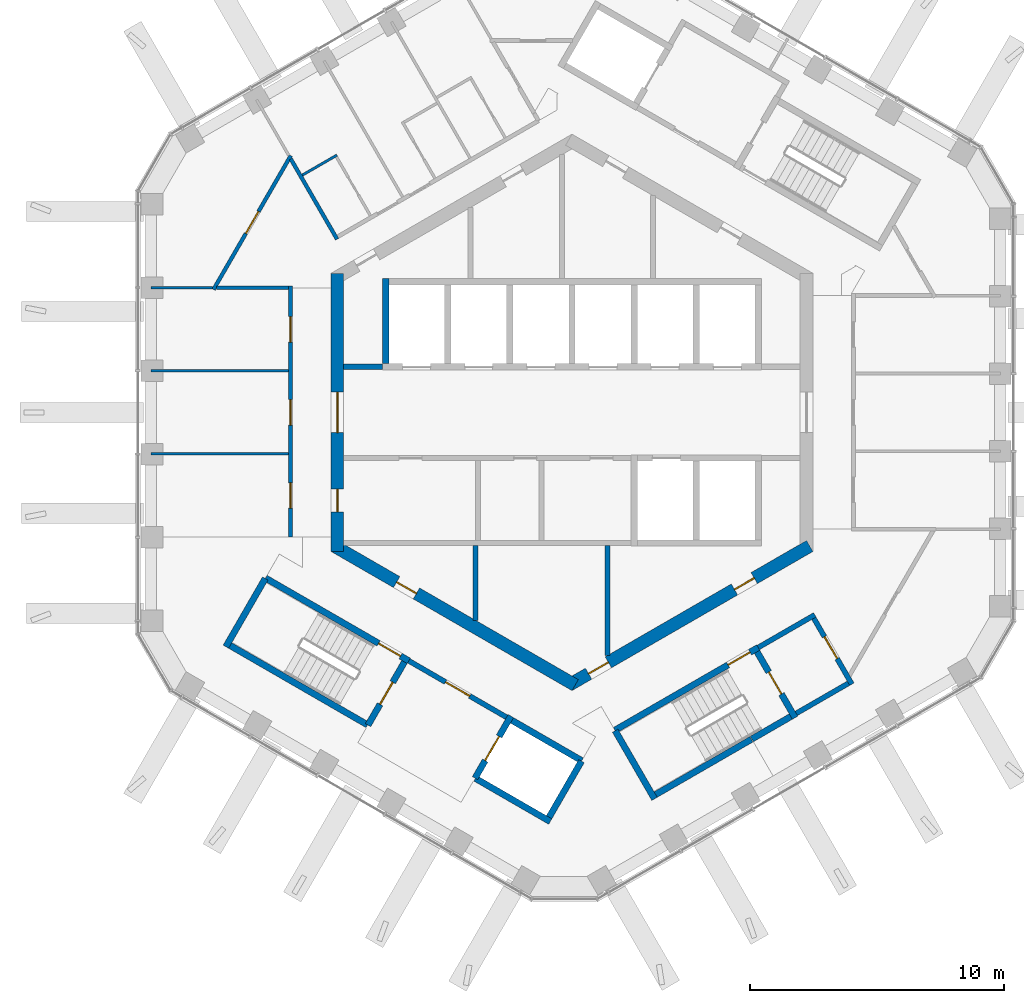
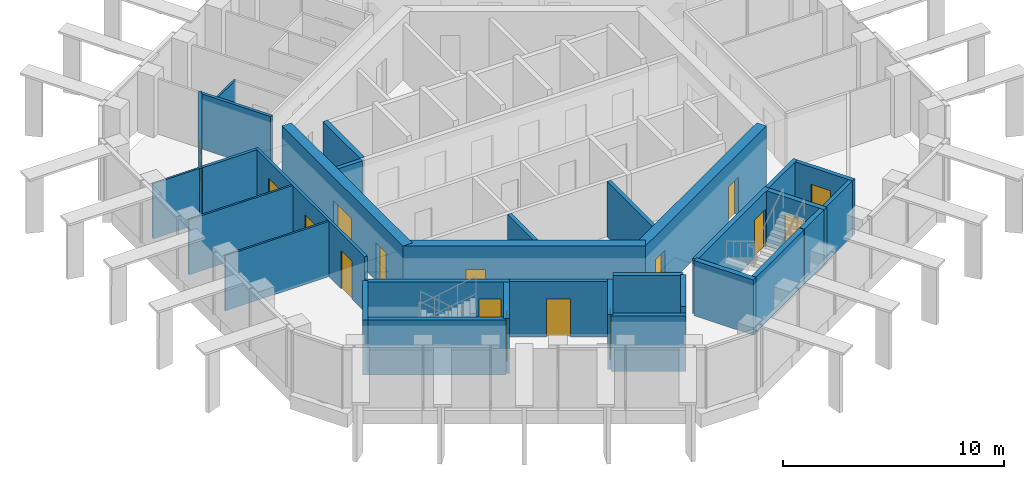
# One storey, part 11 of 19: 32 walls, 16 doors, 16 openings.
"""IFC4 building model written with IfcOpenShell, lengths in metres."""

from ifc_helpers import new_model, si_unit, direction, frame, frame_2d, origin, place, context, subcontext, project, spatial, rectangle, extrude, material, layer, layer_set, type_object, element, fill, save


model = new_model("IFC4")

# Units and contexts
model_context = context("Model", 3, precision=1e-05, world=origin(), true_north=direction((0.0, 1.0)))
body_context = subcontext(model_context, "Body", "Model", "MODEL_VIEW")
ifc_project = project(units=[si_unit("LENGTHUNIT", "METRE"), si_unit("AREAUNIT", "SQUARE_METRE"), si_unit("VOLUMEUNIT", "CUBIC_METRE"), si_unit("PLANEANGLEUNIT", "RADIAN"), si_unit("MASSUNIT", "GRAM", prefix="KILO")], contexts=[model_context])

# Site, building, storey
site_placement = place(None, origin())
site = spatial("IfcSite", under=ifc_project, at=site_placement, CompositionType="ELEMENT")
building_placement = place(site_placement, origin())
building = spatial("IfcBuilding", under=site, at=building_placement, Name="Ayvan Gate Tower", CompositionType="ELEMENT")
storey_placement = place(building_placement, frame((0.0, 0.0, 235.89990234375)))
storey = spatial("IfcBuildingStorey", under=building, at=storey_placement, Name="L63", CompositionType="ELEMENT", Elevation=235.89990234375)

# Wall, openings, doors
ifc_material_1 = material(Name="Concrete C60/75", Category="concrete")
ifc_layer_1 = layer(ifc_material_1, 0.5)
ifc_layer_set_1 = layer_set([ifc_layer_1], Name="Concrete C60/75")
wall_type_1 = type_object("IfcWallType", Name="Core wall 500 C60/75", PredefinedType="SHEAR", material=ifc_layer_set_1)
wall_1_placement = place(storey_placement, frame((-9.25, 5.48486328125, 0.0), z_axis=(0.0, 0.0, 1.0), x_axis=(0.0, -1.0, 0.0)))
wall_1 = element("IfcWall", 1, at=wall_1_placement, inside=storey, type_object=wall_type_1, Name="CORE-L63-3", PredefinedType="SHEAR", context=body_context, shape_type="SweptSolid", body=[
    extrude(rectangle(XDim=10.9697265625, YDim=0.5, at=frame_2d((5.48486328125, 0.0))), origin(), (0.0, 0.0, 1.0), 3.400146484375),
])
opening_1_placement = place(wall_1_placement, frame((8.509765625, 0.0, 0.0)))
opening_1 = element("IfcOpeningElement", 2, at=opening_1_placement, cuts=wall_1, Name="Opening L63-D45", PredefinedType="OPENING", context=body_context, shape_type="SweptSolid", body=[
    extrude(rectangle(XDim=0.89990234375, YDim=2.10009765625, at=frame_2d((0.449951171875, 1.050048828125))), frame((0.0, 0.260009765625, 0.0), z_axis=(0.0, -1.0, 0.0), x_axis=(1.0, 0.0, 0.0)), (0.0, 0.0, 1.0), 0.52001953125),
])
opening_2_placement = place(wall_1_placement, frame((4.684814453125, 0.0, 0.0)))
opening_2 = element("IfcOpeningElement", 3, at=opening_2_placement, cuts=wall_1, Name="Opening L63-D47", PredefinedType="OPENING", context=body_context, shape_type="SweptSolid", body=[
    extrude(rectangle(XDim=1.60009765625, YDim=2.10009765625, at=frame_2d((0.800048828125, 1.050048828125))), frame((0.0, 0.260009765625, 0.0), z_axis=(0.0, -1.0, 0.0), x_axis=(1.0, 0.0, 0.0)), (0.0, 0.0, 1.0), 0.52001953125),
])
ifc_material_2 = material(Name="Timber door leaf", Category="wood")
door_type_1 = type_object("IfcDoorType", Name="DT-1600", OperationType="NOTDEFINED", PredefinedType="DOOR", material=ifc_material_2)
door_1_placement = place(opening_2_placement, origin())
door_1 = element("IfcDoor", 4, at=door_1_placement, inside=storey, type_object=door_type_1, Name="CD-L63-47", OperationType="SINGLE_SWING_RIGHT", OverallHeight=2.10009765625, OverallWidth=1.60009765625, PredefinedType="DOOR", context=body_context, shape_type="SweptSolid", body=[
    extrude(rectangle(XDim=1.60009765625, YDim=2.10009765625, at=frame_2d((0.800048828125, 1.050048828125))), frame((0.0, 0.02490234375, 0.0), z_axis=(0.0, -1.0, 0.0), x_axis=(1.0, 0.0, 0.0)), (0.0, 0.0, 1.0), 0.050048828125),
])
fill(opening_2, door_1)
door_type_2 = type_object("IfcDoorType", Name="DT-900", OperationType="NOTDEFINED", PredefinedType="DOOR", material=ifc_material_2)
door_2_placement = place(opening_1_placement, origin())
door_2 = element("IfcDoor", 5, at=door_2_placement, inside=storey, type_object=door_type_2, Name="CD-L63-45", OperationType="SINGLE_SWING_RIGHT", OverallHeight=2.10009765625, OverallWidth=0.89990234375, PredefinedType="DOOR", context=body_context, shape_type="SweptSolid", body=[
    extrude(rectangle(XDim=0.89990234375, YDim=2.10009765625, at=frame_2d((0.449951171875, 1.050048828125))), frame((0.0, 0.02490234375, 0.0), z_axis=(0.0, -1.0, 0.0), x_axis=(1.0, 0.0, 0.0)), (0.0, 0.0, 1.0), 0.050048828125),
])
fill(opening_1, door_2)

# Wall, opening, door
wall_2_placement = place(storey_placement, frame((-9.375, -5.268310546875, 0.0), z_axis=(0.0, 0.0, 1.0), x_axis=(0.866023993627, -0.500002442456, 0.0)))
wall_2 = element("IfcWall", 6, at=wall_2_placement, inside=storey, type_object=wall_type_1, Name="CORE-L63-4", PredefinedType="SHEAR", context=body_context, shape_type="SweptSolid", body=[
    extrude(rectangle(XDim=10.9697265625, YDim=0.5, at=frame_2d((5.48486328125, 0.0))), origin(), (0.0, 0.0, 1.0), 3.400146484375),
])
opening_3_placement = place(wall_2_placement, frame((2.841552734375, 0.0, 0.0)))
opening_3 = element("IfcOpeningElement", 7, at=opening_3_placement, cuts=wall_2, Name="Opening L63-D42", PredefinedType="OPENING", context=body_context, shape_type="SweptSolid", body=[
    extrude(rectangle(XDim=0.89990234375, YDim=2.10009765625, at=frame_2d((0.449951171875, 1.050048828125))), frame((0.0, 0.260009765625, 0.0), z_axis=(0.0, -1.0, 0.0), x_axis=(1.0, 0.0, 0.0)), (0.0, 0.0, 1.0), 0.52001953125),
])
door_3_placement = place(opening_3_placement, origin())
door_3 = element("IfcDoor", 8, at=door_3_placement, inside=storey, type_object=door_type_2, Name="CD-L63-42", OperationType="SINGLE_SWING_LEFT", OverallHeight=2.10009765625, OverallWidth=0.89990234375, PredefinedType="DOOR", context=body_context, shape_type="SweptSolid", body=[
    extrude(rectangle(XDim=0.89990234375, YDim=2.10009765625, at=frame_2d((0.449951171875, 1.050048828125))), frame((0.0, 0.02490234375, 0.0), z_axis=(0.0, -1.0, 0.0), x_axis=(1.0, 0.0, 0.0)), (0.0, 0.0, 1.0), 0.050048828125),
])
fill(opening_3, door_3)

# Wall, openings, doors
wall_3_placement = place(storey_placement, frame((-0.125, -10.753173828125, 0.0), z_axis=(0.0, 0.0, 1.0), x_axis=(0.866023993627, 0.500002442456, 0.0)))
wall_3 = element("IfcWall", 9, at=wall_3_placement, inside=storey, type_object=wall_type_1, Name="CORE-L63-5", PredefinedType="SHEAR", context=body_context, shape_type="SweptSolid", body=[
    extrude(rectangle(XDim=10.9697265625, YDim=0.5, at=frame_2d((5.48486328125, 0.0))), origin(), (0.0, 0.0, 1.0), 3.400146484375),
])
opening_4_placement = place(wall_3_placement, frame((0.89990234375, 0.0, 0.0)))
opening_4 = element("IfcOpeningElement", 10, at=opening_4_placement, cuts=wall_3, Name="Opening L63-D43", PredefinedType="OPENING", context=body_context, shape_type="SweptSolid", body=[
    extrude(rectangle(XDim=0.89990234375, YDim=2.10009765625, at=frame_2d((0.449951171875, 1.050048828125))), frame((0.0, 0.260009765625, 0.0), z_axis=(0.0, -1.0, 0.0), x_axis=(1.0, 0.0, 0.0)), (0.0, 0.0, 1.0), 0.52001953125),
])
opening_5_placement = place(wall_3_placement, frame((7.541748046875, 0.0, 0.0)))
opening_5 = element("IfcOpeningElement", 11, at=opening_5_placement, cuts=wall_3, Name="Opening L63-D44", PredefinedType="OPENING", context=body_context, shape_type="SweptSolid", body=[
    extrude(rectangle(XDim=0.89990234375, YDim=2.10009765625, at=frame_2d((0.449951171875, 1.050048828125))), frame((0.0, 0.260009765625, 0.0), z_axis=(0.0, -1.0, 0.0), x_axis=(1.0, 0.0, 0.0)), (0.0, 0.0, 1.0), 0.52001953125),
])
door_4_placement = place(opening_4_placement, origin())
door_4 = element("IfcDoor", 12, at=door_4_placement, inside=storey, type_object=door_type_2, Name="CD-L63-43", OperationType="SINGLE_SWING_RIGHT", OverallHeight=2.10009765625, OverallWidth=0.89990234375, PredefinedType="DOOR", context=body_context, shape_type="SweptSolid", body=[
    extrude(rectangle(XDim=0.89990234375, YDim=2.10009765625, at=frame_2d((0.449951171875, 1.050048828125))), frame((0.0, 0.02490234375, 0.0), z_axis=(0.0, -1.0, 0.0), x_axis=(1.0, 0.0, 0.0)), (0.0, 0.0, 1.0), 0.050048828125),
])
fill(opening_4, door_4)
door_5_placement = place(opening_5_placement, origin())
door_5 = element("IfcDoor", 13, at=door_5_placement, inside=storey, type_object=door_type_2, Name="CD-L63-44", OperationType="SINGLE_SWING_LEFT", OverallHeight=2.10009765625, OverallWidth=0.89990234375, PredefinedType="DOOR", context=body_context, shape_type="SweptSolid", body=[
    extrude(rectangle(XDim=0.89990234375, YDim=2.10009765625, at=frame_2d((0.449951171875, 1.050048828125))), frame((0.0, 0.02490234375, 0.0), z_axis=(0.0, -1.0, 0.0), x_axis=(1.0, 0.0, 0.0)), (0.0, 0.0, 1.0), 0.050048828125),
])
fill(opening_5, door_5)

# Wall, opening, door
ifc_material_3 = material(Name="Plasterboard on steel stud", Category="steel")
ifc_layer_2 = layer(ifc_material_3, 0.14990234375)
ifc_layer_set_2 = layer_set([ifc_layer_2], Name="Plasterboard on steel stud")
wall_type_2 = type_object("IfcWallType", Name="WT-CORR-150", PredefinedType="PARTITIONING", material=ifc_layer_set_2)
wall_4_placement = place(storey_placement, frame((-14.1337890625, 4.8486328125, 0.0), z_axis=(0.0, 0.0, 1.0), x_axis=(0.50000114319, 0.866024743763, 0.0)))
wall_4 = element("IfcWall", 14, at=wall_4_placement, inside=storey, type_object=wall_type_2, Name="IW-L63-001", PredefinedType="PARTITIONING", context=body_context, shape_type="SweptSolid", body=[
    extrude(rectangle(XDim=6.091796875, YDim=0.14990234375, at=frame_2d((3.0458984375, 0.0))), origin(), (0.0, 0.0, 1.0), 3.050048828125),
])
opening_6_placement = place(wall_4_placement, frame((2.5458984375, 0.0, 0.0)))
opening_6 = element("IfcOpeningElement", 15, at=opening_6_placement, cuts=wall_4, Name="Opening L63-D27", PredefinedType="OPENING", context=body_context, shape_type="SweptSolid", body=[
    extrude(rectangle(XDim=1.0, YDim=2.10009765625, at=frame_2d((0.5, 1.050048828125))), frame((0.0, 0.0849609375, 0.0), z_axis=(0.0, -1.0, 0.0), x_axis=(1.0, 0.0, 0.0)), (0.0, 0.0, 1.0), 0.169921875),
])
door_type_3 = type_object("IfcDoorType", Name="DT-1000", OperationType="NOTDEFINED", PredefinedType="DOOR", material=ifc_material_2)
door_6_placement = place(opening_6_placement, origin())
door_6 = element("IfcDoor", 16, at=door_6_placement, inside=storey, type_object=door_type_3, Name="ID-L63-027", OperationType="SINGLE_SWING_RIGHT", OverallHeight=2.10009765625, OverallWidth=1.0, PredefinedType="DOOR", context=body_context, shape_type="SweptSolid", body=[
    extrude(rectangle(XDim=1.0, YDim=2.10009765625, at=frame_2d((0.5, 1.050048828125))), frame((0.0, 0.02490234375, 0.0), z_axis=(0.0, -1.0, 0.0), x_axis=(1.0, 0.0, 0.0)), (0.0, 0.0, 1.0), 0.050048828125),
])
fill(opening_6, door_6)

# Wall
wall_5_placement = place(storey_placement, frame((-11.087890625, 9.994384765625, 0.0), z_axis=(0.0, 0.0, 1.0), x_axis=(0.499990402704, -0.866030944715, 0.0)))
element("IfcWall", 17, at=wall_5_placement, inside=storey, type_object=wall_type_2, Name="IW-L63-005", PredefinedType="PARTITIONING", context=body_context, shape_type="SweptSolid", body=[
    extrude(rectangle(XDim=3.654296875, YDim=0.14990234375, at=frame_2d((1.8271484375, 0.0))), origin(), (0.0, 0.0, 1.0), 3.050048828125),
])

# Wall, openings, doors
wall_6_placement = place(storey_placement, frame((-11.10009765625, -4.91357421875, 0.0), z_axis=(0.0, 0.0, 1.0), x_axis=(0.0, 1.0, 0.0)))
wall_6 = element("IfcWall", 18, at=wall_6_placement, inside=storey, type_object=wall_type_2, Name="IW-L63-006", PredefinedType="PARTITIONING", context=body_context, shape_type="SweptSolid", body=[
    extrude(rectangle(XDim=9.902099609375, YDim=0.14990234375, at=frame_2d((4.951171875, 0.0))), origin(), (0.0, 0.0, 1.0), 3.050048828125),
])
opening_7_placement = place(wall_6_placement, frame((7.689208984375, 0.0, 0.0)))
opening_7 = element("IfcOpeningElement", 19, at=opening_7_placement, cuts=wall_6, Name="Opening L63-D28", PredefinedType="OPENING", context=body_context, shape_type="SweptSolid", body=[
    extrude(rectangle(XDim=1.0, YDim=2.10009765625, at=frame_2d((0.5, 1.050048828125))), frame((0.0, 0.0849609375, 0.0), z_axis=(0.0, -1.0, 0.0), x_axis=(1.0, 0.0, 0.0)), (0.0, 0.0, 1.0), 0.169921875),
])
opening_8_placement = place(wall_6_placement, frame((4.41357421875, 0.0, 0.0)))
opening_8 = element("IfcOpeningElement", 20, at=opening_8_placement, cuts=wall_6, Name="Opening L63-D29", PredefinedType="OPENING", context=body_context, shape_type="SweptSolid", body=[
    extrude(rectangle(XDim=1.0, YDim=2.10009765625, at=frame_2d((0.5, 1.050048828125))), frame((0.0, 0.0849609375, 0.0), z_axis=(0.0, -1.0, 0.0), x_axis=(1.0, 0.0, 0.0)), (0.0, 0.0, 1.0), 0.169921875),
])
opening_9_placement = place(wall_6_placement, frame((1.137451171875, 0.0, 0.0)))
opening_9 = element("IfcOpeningElement", 21, at=opening_9_placement, cuts=wall_6, Name="Opening L63-D30", PredefinedType="OPENING", context=body_context, shape_type="SweptSolid", body=[
    extrude(rectangle(XDim=1.0, YDim=2.10009765625, at=frame_2d((0.5, 1.050048828125))), frame((0.0, 0.0849609375, 0.0), z_axis=(0.0, -1.0, 0.0), x_axis=(1.0, 0.0, 0.0)), (0.0, 0.0, 1.0), 0.169921875),
])
door_7_placement = place(opening_7_placement, origin())
door_7 = element("IfcDoor", 22, at=door_7_placement, inside=storey, type_object=door_type_3, Name="ID-L63-028", OperationType="SINGLE_SWING_LEFT", OverallHeight=2.10009765625, OverallWidth=1.0, PredefinedType="DOOR", context=body_context, shape_type="SweptSolid", body=[
    extrude(rectangle(XDim=1.0, YDim=2.10009765625, at=frame_2d((0.5, 1.050048828125))), frame((0.0, 0.02490234375, 0.0), z_axis=(0.0, -1.0, 0.0), x_axis=(1.0, 0.0, 0.0)), (0.0, 0.0, 1.0), 0.050048828125),
])
fill(opening_7, door_7)
door_8_placement = place(opening_8_placement, origin())
door_8 = element("IfcDoor", 23, at=door_8_placement, inside=storey, type_object=door_type_3, Name="ID-L63-029", OperationType="SINGLE_SWING_RIGHT", OverallHeight=2.10009765625, OverallWidth=1.0, PredefinedType="DOOR", context=body_context, shape_type="SweptSolid", body=[
    extrude(rectangle(XDim=1.0, YDim=2.10009765625, at=frame_2d((0.5, 1.050048828125))), frame((0.0, 0.02490234375, 0.0), z_axis=(0.0, -1.0, 0.0), x_axis=(1.0, 0.0, 0.0)), (0.0, 0.0, 1.0), 0.050048828125),
])
fill(opening_8, door_8)
door_9_placement = place(opening_9_placement, origin())
door_9 = element("IfcDoor", 24, at=door_9_placement, inside=storey, type_object=door_type_3, Name="ID-L63-030", OperationType="SINGLE_SWING_LEFT", OverallHeight=2.10009765625, OverallWidth=1.0, PredefinedType="DOOR", context=body_context, shape_type="SweptSolid", body=[
    extrude(rectangle(XDim=1.0, YDim=2.10009765625, at=frame_2d((0.5, 1.050048828125))), frame((0.0, 0.02490234375, 0.0), z_axis=(0.0, -1.0, 0.0), x_axis=(1.0, 0.0, 0.0)), (0.0, 0.0, 1.0), 0.050048828125),
])
fill(opening_9, door_9)

# Walls
wall_7_placement = place(storey_placement, frame((-11.1748046875, 4.91357421875, 0.0), z_axis=(0.0, 0.0, 1.0), x_axis=(-1.0, 0.0, 0.0)))
element("IfcWall", 25, at=wall_7_placement, inside=storey, type_object=wall_type_2, Name="IW-L63-009", PredefinedType="PARTITIONING", context=body_context, shape_type="SweptSolid", body=[
    extrude(rectangle(XDim=2.846435546875, YDim=0.14990234375, at=frame_2d((1.42333984375, 0.0))), origin(), (0.0, 0.0, 1.0), 3.050048828125),
])
ifc_layer_3 = layer(ifc_material_3, 0.10009765625)
ifc_layer_set_3 = layer_set([ifc_layer_3], Name="Plasterboard on steel stud")
wall_type_3 = type_object("IfcWallType", Name="WT-PART-100", PredefinedType="PARTITIONING", material=ifc_layer_set_3)
wall_8_placement = place(storey_placement, frame((-14.17138671875, 4.91357421875, 0.0), z_axis=(0.0, 0.0, 1.0), x_axis=(-1.0, 0.0, 0.0)))
element("IfcWall", 26, at=wall_8_placement, inside=storey, type_object=wall_type_3, Name="IW-L63-000", PredefinedType="PARTITIONING", context=body_context, shape_type="SweptSolid", body=[
    extrude(rectangle(XDim=2.41943359375, YDim=0.10009765625, at=frame_2d((1.209716796875, 0.0))), origin(), (0.0, 0.0, 1.0), 3.050048828125),
])
for number, where, z_axis, x_axis, name in (
    (27, (-11.175048828125, -1.637939453125, 0.0), (0.0, 0.0, 1.0), (-1.0, 0.0, 0.0), "IW-L63-007"),
    (28, (-11.175048828125, 1.637939453125, 0.0), (0.0, 0.0, 1.0), (-1.0, 0.0, 0.0), "IW-L63-008"),
):
    element("IfcWall", number, at=place(storey_placement, frame(where, z_axis=z_axis, x_axis=x_axis)), inside=storey, type_object=wall_type_3, Name=name, PredefinedType="PARTITIONING", context=body_context, shape_type="SweptSolid", body=[
        extrude(rectangle(XDim=5.415771484375, YDim=0.10009765625, at=frame_2d((2.7080078125, 0.0))), origin(), (0.0, 0.0, 1.0), 3.050048828125),
    ])
wall_9_placement = place(storey_placement, frame((-9.269287109375, 10.14453125, 0.0), z_axis=(0.0, 0.0, 1.0), x_axis=(-0.866002311072, -0.500039995618, 0.0)))
element("IfcWall", 29, at=wall_9_placement, inside=storey, type_object=wall_type_3, Name="IW-L63-010", PredefinedType="PARTITIONING", context=body_context, shape_type="SweptSolid", body=[
    extrude(rectangle(XDim=1.574951171875, YDim=0.10009765625, at=frame_2d((0.78759765625, 0.0))), origin(), (0.0, 0.0, 1.0), 3.050048828125),
])
ifc_layer_4 = layer(ifc_material_3, 0.199951171875)
ifc_layer_set_4 = layer_set([ifc_layer_4], Name="Plasterboard on steel stud")
wall_type_4 = type_object("IfcWallType", Name="WT-RATED-200", PredefinedType="PARTITIONING", material=ifc_layer_set_4)
wall_10_placement = place(storey_placement, frame((-9.0, 1.800048828125, 0.0), z_axis=(0.0, 0.0, 1.0), x_axis=(1.0, 0.0, 0.0)))
element("IfcWall", 30, at=wall_10_placement, inside=storey, type_object=wall_type_4, Name="IW-L63-012", PredefinedType="PARTITIONING", context=body_context, shape_type="SweptSolid", body=[
    extrude(rectangle(XDim=1.525146484375, YDim=0.199951171875, at=frame_2d((0.7626953125, 0.0))), origin(), (0.0, 0.0, 1.0), 3.050048828125),
])

# Wall, opening, door
wall_11_placement = place(storey_placement, frame((-6.4345703125, -9.794921875, 0.0), z_axis=(0.0, 0.0, 1.0), x_axis=(0.866012907634, -0.500021643343, 0.0)))
wall_11 = element("IfcWall", 31, at=wall_11_placement, inside=storey, type_object=wall_type_4, Name="IW-L63-022", PredefinedType="PARTITIONING", context=body_context, shape_type="SweptSolid", body=[
    extrude(rectangle(XDim=4.449951171875, YDim=0.199951171875, at=frame_2d((2.22509765625, 0.0))), origin(), (0.0, 0.0, 1.0), 3.050048828125),
])
opening_10_placement = place(wall_11_placement, frame((1.675048828125, 0.0, 0.0)))
opening_10 = element("IfcOpeningElement", 32, at=opening_10_placement, cuts=wall_11, Name="Opening L63-D17", PredefinedType="OPENING", context=body_context, shape_type="SweptSolid", body=[
    extrude(rectangle(XDim=1.10009765625, YDim=2.10009765625, at=frame_2d((0.550048828125, 1.050048828125))), frame((0.0, 0.10986328125, 0.0), z_axis=(0.0, -1.0, 0.0), x_axis=(1.0, 0.0, 0.0)), (0.0, 0.0, 1.0), 0.219970703125),
])
door_type_4 = type_object("IfcDoorType", Name="DT-1100", OperationType="NOTDEFINED", PredefinedType="DOOR", material=ifc_material_2)
door_10_placement = place(opening_10_placement, origin())
door_10 = element("IfcDoor", 33, at=door_10_placement, inside=storey, type_object=door_type_4, Name="ID-L63-017", OperationType="SINGLE_SWING_RIGHT", OverallHeight=2.10009765625, OverallWidth=1.10009765625, PredefinedType="DOOR", context=body_context, shape_type="SweptSolid", body=[
    extrude(rectangle(XDim=1.10009765625, YDim=2.10009765625, at=frame_2d((0.550048828125, 1.050048828125))), frame((0.0, 0.02490234375, 0.0), z_axis=(0.0, -1.0, 0.0), x_axis=(1.0, 0.0, 0.0)), (0.0, 0.0, 1.0), 0.050048828125),
])
fill(opening_10, door_10)

# Walls
wall_12_placement = place(storey_placement, frame((-3.800048828125, -5.25, 0.0), z_axis=(0.0, 0.0, 1.0), x_axis=(0.0, -1.0, 0.0)))
element("IfcWall", 34, at=wall_12_placement, inside=storey, type_object=wall_type_4, Name="IW-L63-028", PredefinedType="PARTITIONING", context=body_context, shape_type="SweptSolid", body=[
    extrude(rectangle(XDim=2.948486328125, YDim=0.199951171875, at=frame_2d((1.47412109375, 0.0))), origin(), (0.0, 0.0, 1.0), 3.050048828125),
])
wall_13_placement = place(storey_placement, frame((1.39990234375, -5.25, 0.0), z_axis=(0.0, 0.0, 1.0), x_axis=(0.0, -1.0, 0.0)))
element("IfcWall", 35, at=wall_13_placement, inside=storey, type_object=wall_type_4, Name="IW-L63-046", PredefinedType="PARTITIONING", context=body_context, shape_type="SweptSolid", body=[
    extrude(rectangle(XDim=4.333984375, YDim=0.199951171875, at=frame_2d((2.1669921875, 0.0))), origin(), (0.0, 0.0, 1.0), 3.050048828125),
])
wall_14_placement = place(storey_placement, frame((7.343994140625, -9.27001953125, 0.0), z_axis=(0.0, 0.0, 1.0), x_axis=(0.866005588531, 0.500034319456, 0.0)))
element("IfcWall", 36, at=wall_14_placement, inside=storey, type_object=wall_type_4, Name="IW-L63-064", PredefinedType="PARTITIONING", context=body_context, shape_type="SweptSolid", body=[
    extrude(rectangle(XDim=2.574951171875, YDim=0.199951171875, at=frame_2d((1.28759765625, 0.0))), origin(), (0.0, 0.0, 1.0), 3.050048828125),
])

# Wall, opening, door
wall_15_placement = place(storey_placement, frame((9.537353515625, -8.119140625, 0.0), z_axis=(0.0, 0.0, 1.0), x_axis=(0.499990139034, -0.866031096941, 0.0)))
wall_15 = element("IfcWall", 37, at=wall_15_placement, inside=storey, type_object=wall_type_4, Name="IW-L63-073", PredefinedType="PARTITIONING", context=body_context, shape_type="SweptSolid", body=[
    extrude(rectangle(XDim=3.0, YDim=0.199951171875, at=frame_2d((1.5, 0.0))), origin(), (0.0, 0.0, 1.0), 3.050048828125),
])
opening_11_placement = place(wall_15_placement, frame((0.8369140625, 0.0, 0.0)))
opening_11 = element("IfcOpeningElement", 38, at=opening_11_placement, cuts=wall_15, Name="Opening L63-D20", PredefinedType="OPENING", context=body_context, shape_type="SweptSolid", body=[
    extrude(rectangle(XDim=1.0, YDim=2.10009765625, at=frame_2d((0.5, 1.050048828125))), frame((0.0, 0.10986328125, 0.0), z_axis=(0.0, -1.0, 0.0), x_axis=(1.0, 0.0, 0.0)), (0.0, 0.0, 1.0), 0.219970703125),
])
door_11_placement = place(opening_11_placement, origin())
door_11 = element("IfcDoor", 39, at=door_11_placement, inside=storey, type_object=door_type_3, Name="ID-L63-020", OperationType="SINGLE_SWING_LEFT", OverallHeight=2.10009765625, OverallWidth=1.0, PredefinedType="DOOR", context=body_context, shape_type="SweptSolid", body=[
    extrude(rectangle(XDim=1.0, YDim=2.10009765625, at=frame_2d((0.5, 1.050048828125))), frame((0.0, 0.02490234375, 0.0), z_axis=(0.0, -1.0, 0.0), x_axis=(1.0, 0.0, 0.0)), (0.0, 0.0, 1.0), 0.050048828125),
])
fill(opening_11, door_11)

# Walls
wall_16_placement = place(storey_placement, frame((10.900634765625, -10.6806640625, 0.0), z_axis=(0.0, 0.0, 1.0), x_axis=(-0.866007538022, -0.500030943131, 0.0)))
element("IfcWall", 40, at=wall_16_placement, inside=storey, type_object=wall_type_4, Name="IW-L63-074", PredefinedType="PARTITIONING", context=body_context, shape_type="SweptSolid", body=[
    extrude(rectangle(XDim=2.374755859375, YDim=0.199951171875, at=frame_2d((1.1875, 0.0))), origin(), (0.0, 0.0, 1.0), 3.050048828125),
])
ifc_material_4 = material(Name="Concrete C50/60", Category="concrete")
ifc_layer_5 = layer(ifc_material_4, 0.25)
ifc_layer_set_5 = layer_set([ifc_layer_5], Name="Concrete C50/60")
wall_type_5 = type_object("IfcWallType", Name="WT-RC-250", PredefinedType="SHEAR", material=ifc_layer_set_5)
wall_17_placement = place(storey_placement, frame((-13.64794921875, -9.23876953125, 0.0), z_axis=(0.0, 0.0, 1.0), x_axis=(0.500003782172, 0.866023220135, 0.0)))
element("IfcWall", 41, at=wall_17_placement, inside=storey, type_object=wall_type_5, Name="IW-L63-002", PredefinedType="SHEAR", context=body_context, shape_type="SweptSolid", body=[
    extrude(rectangle(XDim=3.10498046875, YDim=0.25, at=frame_2d((1.552490234375, 0.0))), origin(), (0.0, 0.0, 1.0), 3.050048828125),
])

# Wall, opening, door
wall_18_placement = place(storey_placement, frame((-12.08544921875, -6.532470703125, 0.0), z_axis=(0.0, 0.0, 1.0), x_axis=(0.866031063448, -0.499990197047, 0.0)))
wall_18 = element("IfcWall", 42, at=wall_18_placement, inside=storey, type_object=wall_type_5, Name="IW-L63-004", PredefinedType="SHEAR", context=body_context, shape_type="SweptSolid", body=[
    extrude(rectangle(XDim=6.525146484375, YDim=0.25, at=frame_2d((3.2626953125, 0.0))), origin(), (0.0, 0.0, 1.0), 3.050048828125),
])
opening_12_placement = place(wall_18_placement, frame((5.14990234375, 0.0, 0.0)))
opening_12 = element("IfcOpeningElement", 43, at=opening_12_placement, cuts=wall_18, Name="Opening L63-D15", PredefinedType="OPENING", context=body_context, shape_type="SweptSolid", body=[
    extrude(rectangle(XDim=1.0, YDim=2.10009765625, at=frame_2d((0.5, 1.050048828125))), frame((0.0, 0.135009765625, 0.0), z_axis=(0.0, -1.0, 0.0), x_axis=(1.0, 0.0, 0.0)), (0.0, 0.0, 1.0), 0.27001953125),
])
door_12_placement = place(opening_12_placement, origin())
door_12 = element("IfcDoor", 44, at=door_12_placement, inside=storey, type_object=door_type_3, Name="ID-L63-015", OperationType="SINGLE_SWING_RIGHT", OverallHeight=2.10009765625, OverallWidth=1.0, PredefinedType="DOOR", context=body_context, shape_type="SweptSolid", body=[
    extrude(rectangle(XDim=1.0, YDim=2.10009765625, at=frame_2d((0.5, 1.050048828125))), frame((0.0, 0.02490234375, 0.0), z_axis=(0.0, -1.0, 0.0), x_axis=(1.0, 0.0, 0.0)), (0.0, 0.0, 1.0), 0.050048828125),
])
fill(opening_12, door_12)

# Walls
wall_19_placement = place(storey_placement, frame((-8.06005859375, -12.320556640625, 0.0), z_axis=(0.0, 0.0, 1.0), x_axis=(-0.866029591389, 0.499992746786, 0.0)))
element("IfcWall", 45, at=wall_19_placement, inside=storey, type_object=wall_type_5, Name="IW-L63-014", PredefinedType="SHEAR", context=body_context, shape_type="SweptSolid", body=[
    extrude(rectangle(XDim=6.2548828125, YDim=0.25, at=frame_2d((3.12744140625, 0.0))), origin(), (0.0, 0.0, 1.0), 3.050048828125),
])
wall_20_placement = place(storey_placement, frame((-7.35009765625, 1.925048828125, 0.0), z_axis=(0.0, 0.0, 1.0), x_axis=(0.0, 1.0, 0.0)))
element("IfcWall", 46, at=wall_20_placement, inside=storey, type_object=wall_type_5, Name="IW-L63-017", PredefinedType="SHEAR", context=body_context, shape_type="SweptSolid", body=[
    extrude(rectangle(XDim=3.349853515625, YDim=0.25, at=frame_2d((1.6748046875, 0.0))), origin(), (0.0, 0.0, 1.0), 3.050048828125),
])

# Wall, opening, door
wall_21_placement = place(storey_placement, frame((-6.605224609375, -9.8408203125, 0.0), z_axis=(0.0, 0.0, 1.0), x_axis=(-0.500011588718, -0.866018712932, 0.0)))
wall_21 = element("IfcWall", 47, at=wall_21_placement, inside=storey, type_object=wall_type_5, Name="IW-L63-021", PredefinedType="SHEAR", context=body_context, shape_type="SweptSolid", body=[
    extrude(rectangle(XDim=2.875, YDim=0.25, at=frame_2d((1.4375, 0.0))), origin(), (0.0, 0.0, 1.0), 3.050048828125),
])
opening_13_placement = place(wall_21_placement, frame((0.923095703125, 0.0, 0.0)))
opening_13 = element("IfcOpeningElement", 48, at=opening_13_placement, cuts=wall_21, Name="Opening L63-D16", PredefinedType="OPENING", context=body_context, shape_type="SweptSolid", body=[
    extrude(rectangle(XDim=1.0, YDim=2.10009765625, at=frame_2d((0.5, 1.050048828125))), frame((0.0, 0.135009765625, 0.0), z_axis=(0.0, -1.0, 0.0), x_axis=(1.0, 0.0, 0.0)), (0.0, 0.0, 1.0), 0.27001953125),
])
door_13_placement = place(opening_13_placement, origin())
door_13 = element("IfcDoor", 49, at=door_13_placement, inside=storey, type_object=door_type_3, Name="ID-L63-016", OperationType="SINGLE_SWING_LEFT", OverallHeight=2.10009765625, OverallWidth=1.0, PredefinedType="DOOR", context=body_context, shape_type="SweptSolid", body=[
    extrude(rectangle(XDim=1.0, YDim=2.10009765625, at=frame_2d((0.5, 1.050048828125))), frame((0.0, 0.02490234375, 0.0), z_axis=(0.0, -1.0, 0.0), x_axis=(1.0, 0.0, 0.0)), (0.0, 0.0, 1.0), 0.050048828125),
])
fill(opening_13, door_13)

wall_22_placement = place(storey_placement, frame((-2.409912109375, -11.97412109375, 0.0), z_axis=(0.0, 0.0, 1.0), x_axis=(-0.49998675294, -0.866033051843, 0.0)))
wall_22 = element("IfcWall", 50, at=wall_22_placement, inside=storey, type_object=wall_type_5, Name="IW-L63-034", PredefinedType="SHEAR", context=body_context, shape_type="SweptSolid", body=[
    extrude(rectangle(XDim=2.8251953125, YDim=0.25, at=frame_2d((1.41259765625, 0.0))), origin(), (0.0, 0.0, 1.0), 3.050048828125),
])
opening_14_placement = place(wall_22_placement, frame((0.925537109375, 0.0, 0.0)))
opening_14 = element("IfcOpeningElement", 51, at=opening_14_placement, cuts=wall_22, Name="Opening L63-LD-FF2", PredefinedType="OPENING", context=body_context, shape_type="SweptSolid", body=[
    extrude(rectangle(XDim=1.10009765625, YDim=2.10009765625, at=frame_2d((0.550048828125, 1.050048828125))), frame((0.0, 0.135009765625, 0.0), z_axis=(0.0, -1.0, 0.0), x_axis=(1.0, 0.0, 0.0)), (0.0, 0.0, 1.0), 0.27001953125),
])
ifc_material_5 = material(Name="Stainless steel landing door", Category="steel")
door_type_5 = type_object("IfcDoorType", Name="DT-LANDING-1100", OperationType="SLIDING_TO_LEFT", PredefinedType="DOOR", material=ifc_material_5)
door_14_placement = place(opening_14_placement, origin())
door_14 = element("IfcDoor", 52, at=door_14_placement, inside=storey, type_object=door_type_5, Name="ID-L63-018", OperationType="SLIDING_TO_LEFT", OverallHeight=2.10009765625, OverallWidth=1.10009765625, PredefinedType="DOOR", context=body_context, shape_type="SweptSolid", body=[
    extrude(rectangle(XDim=1.10009765625, YDim=2.10009765625, at=frame_2d((0.550048828125, 1.050048828125))), frame((0.0, 0.02490234375, 0.0), z_axis=(0.0, -1.0, 0.0), x_axis=(1.0, 0.0, 0.0)), (0.0, 0.0, 1.0), 0.050048828125),
])
fill(opening_14, door_14)

# Walls
wall_23_placement = place(storey_placement, frame((-2.3642578125, -12.14501953125, 0.0), z_axis=(0.0, 0.0, 1.0), x_axis=(0.866048579423, -0.499959856469, 0.0)))
element("IfcWall", 53, at=wall_23_placement, inside=storey, type_object=wall_type_5, Name="IW-L63-035", PredefinedType="SHEAR", context=body_context, shape_type="SweptSolid", body=[
    extrude(rectangle(XDim=3.175048828125, YDim=0.25, at=frame_2d((1.58740234375, 0.0))), origin(), (0.0, 0.0, 1.0), 3.400146484375),
])
wall_24_placement = place(storey_placement, frame((-0.8564453125, -16.13330078125, 0.0), z_axis=(0.0, 0.0, 1.0), x_axis=(-0.866032748241, 0.499987278812, 0.0)))
element("IfcWall", 54, at=wall_24_placement, inside=storey, type_object=wall_type_5, Name="IW-L63-040", PredefinedType="SHEAR", context=body_context, shape_type="SweptSolid", body=[
    extrude(rectangle(XDim=3.40478515625, YDim=0.25, at=frame_2d((1.702392578125, 0.0))), origin(), (0.0, 0.0, 1.0), 3.050048828125),
])
wall_25_placement = place(storey_placement, frame((0.37548828125, -13.749755859375, 0.0), z_axis=(0.0, 0.0, 1.0), x_axis=(-0.50003400563, -0.866005769735, 0.0)))
element("IfcWall", 55, at=wall_25_placement, inside=storey, type_object=wall_type_5, Name="IW-L63-044", PredefinedType="SHEAR", context=body_context, shape_type="SweptSolid", body=[
    extrude(rectangle(XDim=2.554931640625, YDim=0.25, at=frame_2d((1.27734375, 0.0))), origin(), (0.0, 0.0, 1.0), 3.400146484375),
])

# Wall, opening, door
wall_26_placement = place(storey_placement, frame((1.693115234375, -12.532470703125, 0.0), z_axis=(0.0, 0.0, 1.0), x_axis=(0.866031063448, 0.499990197047, 0.0)))
wall_26 = element("IfcWall", 56, at=wall_26_placement, inside=storey, type_object=wall_type_5, Name="IW-L63-047", PredefinedType="SHEAR", context=body_context, shape_type="SweptSolid", body=[
    extrude(rectangle(XDim=6.525146484375, YDim=0.25, at=frame_2d((3.2626953125, 0.0))), origin(), (0.0, 0.0, 1.0), 3.050048828125),
])
opening_15_placement = place(wall_26_placement, frame((5.14990234375, 0.0, 0.0)))
opening_15 = element("IfcOpeningElement", 57, at=opening_15_placement, cuts=wall_26, Name="Opening L63-D19", PredefinedType="OPENING", context=body_context, shape_type="SweptSolid", body=[
    extrude(rectangle(XDim=1.0, YDim=2.10009765625, at=frame_2d((0.5, 1.050048828125))), frame((0.0, 0.135009765625, 0.0), z_axis=(0.0, -1.0, 0.0), x_axis=(1.0, 0.0, 0.0)), (0.0, 0.0, 1.0), 0.27001953125),
])
door_15_placement = place(opening_15_placement, origin())
door_15 = element("IfcDoor", 58, at=door_15_placement, inside=storey, type_object=door_type_3, Name="ID-L63-019", OperationType="SINGLE_SWING_RIGHT", OverallHeight=2.10009765625, OverallWidth=1.0, PredefinedType="DOOR", context=body_context, shape_type="SweptSolid", body=[
    extrude(rectangle(XDim=1.0, YDim=2.10009765625, at=frame_2d((0.5, 1.050048828125))), frame((0.0, 0.02490234375, 0.0), z_axis=(0.0, -1.0, 0.0), x_axis=(1.0, 0.0, 0.0)), (0.0, 0.0, 1.0), 0.050048828125),
])
fill(opening_15, door_15)

# Walls
wall_27_placement = place(storey_placement, frame((3.255615234375, -15.23876953125, 0.0), z_axis=(0.0, 0.0, 1.0), x_axis=(-0.500003782172, 0.866023220135, 0.0)))
element("IfcWall", 59, at=wall_27_placement, inside=storey, type_object=wall_type_5, Name="IW-L63-052", PredefinedType="SHEAR", context=body_context, shape_type="SweptSolid", body=[
    extrude(rectangle(XDim=3.10498046875, YDim=0.25, at=frame_2d((1.552490234375, 0.0))), origin(), (0.0, 0.0, 1.0), 3.050048828125),
])
wall_28_placement = place(storey_placement, frame((7.07275390625, -12.890625, 0.0), z_axis=(0.0, 0.0, 1.0), x_axis=(-0.866023145199, -0.500003911965, 0.0)))
element("IfcWall", 60, at=wall_28_placement, inside=storey, type_object=wall_type_5, Name="IW-L63-062", PredefinedType="SHEAR", context=body_context, shape_type="SweptSolid", body=[
    extrude(rectangle(XDim=4.35498046875, YDim=0.25, at=frame_2d((2.177490234375, 0.0))), origin(), (0.0, 0.0, 1.0), 3.050048828125),
])

# Wall, opening, door
wall_29_placement = place(storey_placement, frame((7.298095703125, -9.44091796875, 0.0), z_axis=(0.0, 0.0, 1.0), x_axis=(0.50002537861, -0.866010750942, 0.0)))
wall_29 = element("IfcWall", 61, at=wall_29_placement, inside=storey, type_object=wall_type_5, Name="IW-L63-063", PredefinedType="SHEAR", context=body_context, shape_type="SweptSolid", body=[
    extrude(rectangle(XDim=2.999755859375, YDim=0.25, at=frame_2d((1.5, 0.0))), origin(), (0.0, 0.0, 1.0), 3.050048828125),
])
opening_16_placement = place(wall_29_placement, frame((0.922607421875, 0.0, 0.0)))
opening_16 = element("IfcOpeningElement", 62, at=opening_16_placement, cuts=wall_29, Name="Opening L63-D21", PredefinedType="OPENING", context=body_context, shape_type="SweptSolid", body=[
    extrude(rectangle(XDim=1.0, YDim=2.10009765625, at=frame_2d((0.5, 1.050048828125))), frame((0.0, 0.135009765625, 0.0), z_axis=(0.0, -1.0, 0.0), x_axis=(1.0, 0.0, 0.0)), (0.0, 0.0, 1.0), 0.27001953125),
])
door_16_placement = place(opening_16_placement, origin())
door_16 = element("IfcDoor", 63, at=door_16_placement, inside=storey, type_object=door_type_3, Name="ID-L63-021", OperationType="SINGLE_SWING_RIGHT", OverallHeight=2.10009765625, OverallWidth=1.0, PredefinedType="DOOR", context=body_context, shape_type="SweptSolid", body=[
    extrude(rectangle(XDim=1.0, YDim=2.10009765625, at=frame_2d((0.5, 1.050048828125))), frame((0.0, 0.02490234375, 0.0), z_axis=(0.0, -1.0, 0.0), x_axis=(1.0, 0.0, 0.0)), (0.0, 0.0, 1.0), 0.050048828125),
])
fill(opening_16, door_16)

# Wall
wall_30_placement = place(storey_placement, frame((8.62744140625, -11.9931640625, 0.0), z_axis=(0.0, 0.0, 1.0), x_axis=(-0.866059624469, -0.499940723351, 0.0)))
element("IfcWall", 64, at=wall_30_placement, inside=storey, type_object=wall_type_5, Name="IW-L63-071", PredefinedType="SHEAR", context=body_context, shape_type="SweptSolid", body=[
    extrude(rectangle(XDim=1.775146484375, YDim=0.25, at=frame_2d((0.8876953125, 0.0))), origin(), (0.0, 0.0, 1.0), 3.050048828125),
])

save(model, "model.ifc")
